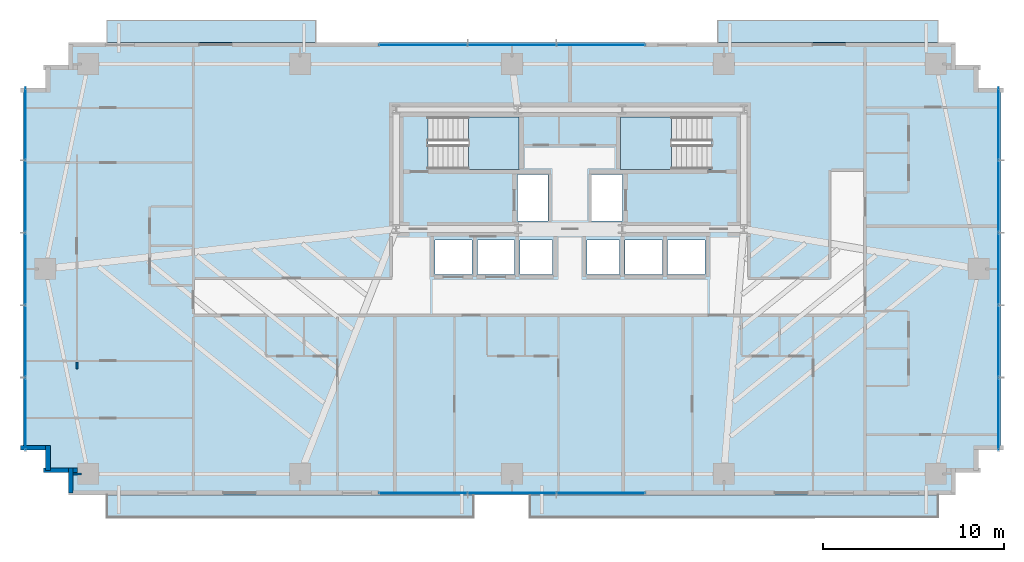
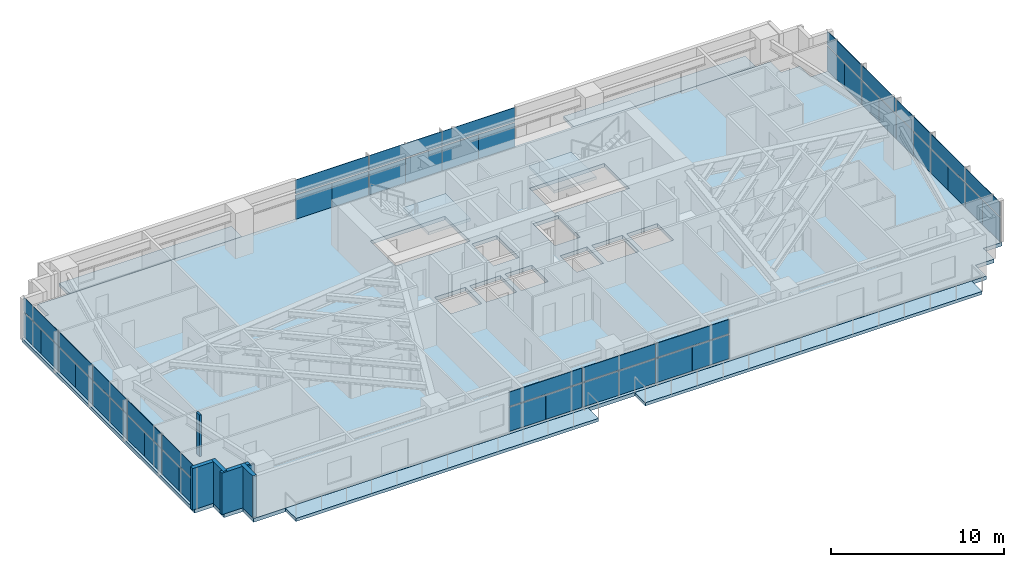
# One storey, part 18 of 25: 48 plates, 7 slabs, 6 walls, 6 elements without a shape of their own.
"""IFC4 building model written with IfcOpenShell, lengths in metres."""

from ifc_helpers import new_model, si_unit, direction, frame, frame_2d, origin, origin_2d, place, context, subcontext, project, spatial, polyline, rectangle, outline, extrude, source, transform, mapped, material, layer, layer_set, type_object, type_shapes, element, aggregate, save


model = new_model("IFC4")

# Units and contexts
model_context = context("Model", 3, precision=1e-05, world=origin(), true_north=direction((0.0, 1.0)))
body_context = subcontext(model_context, "Body", "Model", "MODEL_VIEW")
ifc_project = project(units=[si_unit("LENGTHUNIT", "METRE"), si_unit("AREAUNIT", "SQUARE_METRE"), si_unit("VOLUMEUNIT", "CUBIC_METRE"), si_unit("PLANEANGLEUNIT", "RADIAN"), si_unit("MASSUNIT", "GRAM", prefix="KILO")], contexts=[model_context])

# Site, building, storey
site_placement = place(None, origin())
site = spatial("IfcSite", under=ifc_project, at=site_placement, CompositionType="ELEMENT")
building_placement = place(site_placement, origin())
building = spatial("IfcBuilding", under=site, at=building_placement, Name="Astriad Promenade Condominiums", CompositionType="ELEMENT")
storey_placement = place(building_placement, frame((0.0, 0.0, 45.39990234375)))
storey = spatial("IfcBuildingStorey", under=building, at=storey_placement, Name="L12", CompositionType="ELEMENT", Elevation=45.39990234375)

# Slab
ifc_material_1 = material(Name="Concrete C50/60", Category="concrete")
ifc_layer_1 = layer(ifc_material_1, 0.260009765625)
ifc_layer_set_1 = layer_set([ifc_layer_1], Name="Concrete C50/60")
slab_type_1 = type_object("IfcSlabType", Name="CONCRETE TOWER FLOOR SLAB 260", PredefinedType="FLOOR", material=ifc_layer_set_1)
slab_1_placement = place(storey_placement, frame((0.0, 0.0, -0.260009765625)))
element("IfcSlab", 1, at=slab_1_placement, inside=storey, type_object=slab_type_1, Name="Structural Floor Slab (L12)", PredefinedType="FLOOR", context=body_context, shape_type="SweptSolid", body=[
    extrude(outline(polyline([(8.300048828125, 2.699951171875), (57.300048828125, 2.699951171875), (57.300048828125, 3.949951171875), (58.550048828125, 3.949951171875), (58.550048828125, 5.199951171875), (59.800048828125, 5.199951171875), (59.800048828125, 25.199951171875), (58.550048828125, 25.199951171875), (58.550048828125, 26.449951171875), (57.300048828125, 26.449951171875), (57.300048828125, 27.699951171875), (8.300048828125, 27.699951171875), (8.300048828125, 26.449951171875), (7.050048828125, 26.449951171875), (7.050048828125, 25.199951171875), (5.800048828125, 25.199951171875), (5.800048828125, 5.199951171875), (7.050048828125, 5.199951171875), (7.050048828125, 3.949951171875), (8.300048828125, 3.949951171875), (8.300048828125, 2.699951171875)]), holes=[polyline([(28.175048828125, 20.699951171875), (33.175048828125, 20.699951171875), (33.175048828125, 23.60009765625), (28.175048828125, 23.60009765625), (28.175048828125, 20.699951171875)]), polyline([(38.824951171875, 20.699951171875), (43.824951171875, 20.699951171875), (43.824951171875, 23.60009765625), (38.824951171875, 23.60009765625), (38.824951171875, 20.699951171875)]), polyline([(33.10009765625, 17.85009765625), (34.800048828125, 17.85009765625), (34.800048828125, 20.39990234375), (33.10009765625, 20.39990234375), (33.10009765625, 17.85009765625)]), polyline([(37.199951171875, 17.85009765625), (38.89990234375, 17.85009765625), (38.89990234375, 20.39990234375), (37.199951171875, 20.39990234375), (37.199951171875, 17.85009765625)]), polyline([(28.550048828125, 14.89990234375), (30.60009765625, 14.89990234375), (30.60009765625, 16.800048828125), (28.550048828125, 16.800048828125), (28.550048828125, 14.89990234375)]), polyline([(30.89990234375, 14.89990234375), (32.949951171875, 14.89990234375), (32.949951171875, 16.800048828125), (30.89990234375, 16.800048828125), (30.89990234375, 14.89990234375)]), polyline([(33.25, 14.89990234375), (35.050048828125, 14.89990234375), (35.050048828125, 16.800048828125), (33.25, 16.800048828125), (33.25, 14.89990234375)]), polyline([(36.949951171875, 14.89990234375), (38.75, 14.89990234375), (38.75, 16.800048828125), (36.949951171875, 16.800048828125), (36.949951171875, 14.89990234375)]), polyline([(39.050048828125, 14.89990234375), (41.10009765625, 14.89990234375), (41.10009765625, 16.800048828125), (39.050048828125, 16.800048828125), (39.050048828125, 14.89990234375)]), polyline([(41.39990234375, 14.89990234375), (43.449951171875, 14.89990234375), (43.449951171875, 16.800048828125), (41.39990234375, 16.800048828125), (41.39990234375, 14.89990234375)])]), origin(), (0.0, 0.0, 1.0), 0.260009765625),
])

# Stair, slab
stair_type = type_object("IfcStairType", Name="STR-CORE-1350", PredefinedType="HALF_TURN_STAIR", material=ifc_material_1)
stair_1_placement = place(storey_placement, origin())
stair_1 = element("IfcStair", 2, at=stair_1_placement, inside=storey, type_object=stair_type, Name="L12 Enclosed Core Exit Stair ST-1", PredefinedType="HALF_TURN_STAIR")
ifc_layer_2 = layer(ifc_material_1, 0.219970703125)
ifc_layer_set_2 = layer_set([ifc_layer_2], Name="Concrete C50/60")
slab_type_2 = type_object("IfcSlabType", Name="SLB-LANDING-220", PredefinedType="LANDING", material=ifc_layer_set_2)
slab_2_placement = place(storey_placement, frame((0.0, 0.0, 1.400146484375)))
slab_2 = element("IfcSlab", 3, at=slab_2_placement, type_object=slab_type_2, Name="ST-1 landing 1", PredefinedType="LANDING", context=body_context, shape_type="SweptSolid", body=[
    extrude(outline(polyline([(30.389892578125, 20.699951171875), (33.199951171875, 20.699951171875), (33.199951171875, 23.60009765625), (30.389892578125, 23.60009765625), (30.389892578125, 20.699951171875)])), origin(), (0.0, 0.0, 1.0), 0.199951171875),
])
aggregate(stair_1, [slab_2])

stair_2_placement = place(storey_placement, origin())
stair_2 = element("IfcStair", 4, at=stair_2_placement, inside=storey, type_object=stair_type, Name="L12 Enclosed Core Exit Stair ST-2", PredefinedType="HALF_TURN_STAIR")
slab_3_placement = place(storey_placement, frame((0.0, 0.0, 1.400146484375)))
slab_3 = element("IfcSlab", 5, at=slab_3_placement, type_object=slab_type_2, Name="ST-2 landing 1", PredefinedType="LANDING", context=body_context, shape_type="SweptSolid", body=[
    extrude(outline(polyline([(41.610107421875, 23.60009765625), (38.800048828125, 23.60009765625), (38.800048828125, 20.699951171875), (41.610107421875, 20.699951171875), (41.610107421875, 23.60009765625)])), origin(), (0.0, 0.0, 1.0), 0.199951171875),
])
aggregate(stair_2, [slab_3])

# Slabs
ifc_material_2 = material(Name="Precast concrete C50/60", Category="concrete")
ifc_layer_3 = layer(ifc_material_2, 0.219970703125)
ifc_layer_set_3 = layer_set([ifc_layer_3], Name="Precast concrete C50/60")
slab_type_3 = type_object("IfcSlabType", Name="WHITE PRECAST CONCRETE WAVE BALCONY SLAB 220", PredefinedType="FLOOR", material=ifc_layer_set_3)
slab_4_placement = place(storey_placement, frame((0.0, 0.0, -0.219970703125)))
element("IfcSlab", 6, at=slab_4_placement, inside=storey, type_object=slab_type_3, Name="White Precast Wave Balcony Slab BAL-L12-SW", PredefinedType="FLOOR", context=body_context, shape_type="SweptSolid", body=[
    extrude(outline(polyline([(30.672119140625, 1.47998046875), (10.43603515625, 1.47998046875), (10.43603515625, 2.697998046875), (30.672119140625, 2.697998046875), (30.672119140625, 1.47998046875)])), origin(), (0.0, 0.0, 1.0), 0.219970703125),
])
slab_5_placement = place(storey_placement, frame((0.0, 0.0, -0.219970703125)))
element("IfcSlab", 7, at=slab_5_placement, inside=storey, type_object=slab_type_3, Name="White Precast Wave Balcony Slab BAL-L12-SE", PredefinedType="FLOOR", context=body_context, shape_type="SweptSolid", body=[
    extrude(outline(polyline([(56.322998046875, 1.47998046875), (33.7939453125, 1.47998046875), (33.7939453125, 2.697998046875), (56.322998046875, 2.697998046875), (56.322998046875, 1.47998046875)])), origin(), (0.0, 0.0, 1.0), 0.219970703125),
])
slab_6_placement = place(storey_placement, frame((0.0, 0.0, -0.219970703125)))
element("IfcSlab", 8, at=slab_6_placement, inside=storey, type_object=slab_type_3, Name="White Precast Wave Balcony Slab BAL-L12-NW", PredefinedType="FLOOR", context=body_context, shape_type="SweptSolid", body=[
    extrude(outline(polyline([(10.43603515625, 28.919921875), (21.9599609375, 28.919921875), (21.9599609375, 27.701904296875), (10.43603515625, 27.701904296875), (10.43603515625, 28.919921875)])), origin(), (0.0, 0.0, 1.0), 0.219970703125),
])
slab_7_placement = place(storey_placement, frame((0.0, 0.0, -0.219970703125)))
element("IfcSlab", 9, at=slab_7_placement, inside=storey, type_object=slab_type_3, Name="White Precast Wave Balcony Slab BAL-L12-NE", PredefinedType="FLOOR", context=body_context, shape_type="SweptSolid", body=[
    extrude(outline(polyline([(44.169921875, 28.919921875), (56.322998046875, 28.919921875), (56.322998046875, 27.701904296875), (44.169921875, 27.701904296875), (44.169921875, 28.919921875)])), origin(), (0.0, 0.0, 1.0), 0.219970703125),
])

# Curtain wall, plates
ifc_material_3 = material(Name="Anodised aluminium Black Dark Glass Unitised", Category="aluminium")
curtain_wall_type = type_object("IfcCurtainWallType", Name="CW-B1-DARK", PredefinedType="USERDEFINED", material=ifc_material_3)
curtain_wall_1_placement = place(storey_placement, origin())
curtain_wall_1 = element("IfcCurtainWall", 10, at=curtain_wall_1_placement, inside=storey, type_object=curtain_wall_type, Name="CW-L12-W", ObjectType="UNITISED_CURTAIN_WALL", PredefinedType="USERDEFINED")
ifc_material_4 = material(Name="Dark Tinted Low-E Laminated Glass", Category="glass")
ifc_layer_4 = layer(ifc_material_4, 0.035888671875)
ifc_layer_set_4 = layer_set([ifc_layer_4], Name="Dark Tinted Low-E Laminated Glass")
plate_type = type_object("IfcPlateType", Name="PNL-DARK-GLASS-36", PredefinedType="CURTAIN_PANEL", material=ifc_layer_set_4)
shared_shape_1 = source(origin(), body_context, "Body", "SweptSolid", [
    extrude(rectangle(XDim=1.988037109375, YDim=0.035888671875, at=origin_2d()), origin(), (0.0, 0.0, 1.0), 1.702880859375),
])
plate_1_placement = place(storey_placement, frame((5.929931640625, 6.199951171875, 0.080078125), z_axis=(0.0, 0.0, 1.0), x_axis=(0.0, 1.0, 0.0)))
plate_1 = element("IfcPlate", 11, at=plate_1_placement, type_object=plate_type, Name="CW-L12-W-PNL-00-VL", PredefinedType="CURTAIN_PANEL", context=body_context, shape_type="MappedRepresentation", body=[
    mapped(shared_shape_1, transform((0.0, 0.0, 0.0), scale=1.0)),
])
plate_2_placement = place(storey_placement, frame((5.929931640625, 8.199951171875, 0.080078125), z_axis=(0.0, 0.0, 1.0), x_axis=(0.0, 1.0, 0.0)))
plate_2 = element("IfcPlate", 12, at=plate_2_placement, type_object=plate_type, Name="CW-L12-W-PNL-00-VR", PredefinedType="CURTAIN_PANEL", context=body_context, shape_type="MappedRepresentation", body=[
    mapped(shared_shape_1, transform((0.0, 0.0, 0.0), scale=1.0)),
])
plate_3_placement = place(storey_placement, frame((5.929931640625, 10.199951171875, 0.080078125), z_axis=(0.0, 0.0, 1.0), x_axis=(0.0, 1.0, 0.0)))
plate_3 = element("IfcPlate", 13, at=plate_3_placement, type_object=plate_type, Name="CW-L12-W-PNL-01-VL", PredefinedType="CURTAIN_PANEL", context=body_context, shape_type="MappedRepresentation", body=[
    mapped(shared_shape_1, transform((0.0, 0.0, 0.0), scale=1.0)),
])
plate_4_placement = place(storey_placement, frame((5.929931640625, 12.199951171875, 0.080078125), z_axis=(0.0, 0.0, 1.0), x_axis=(0.0, 1.0, 0.0)))
plate_4 = element("IfcPlate", 14, at=plate_4_placement, type_object=plate_type, Name="CW-L12-W-PNL-01-VR", PredefinedType="CURTAIN_PANEL", context=body_context, shape_type="MappedRepresentation", body=[
    mapped(shared_shape_1, transform((0.0, 0.0, 0.0), scale=1.0)),
])
plate_5_placement = place(storey_placement, frame((5.929931640625, 14.199951171875, 0.080078125), z_axis=(0.0, 0.0, 1.0), x_axis=(0.0, 1.0, 0.0)))
plate_5 = element("IfcPlate", 15, at=plate_5_placement, type_object=plate_type, Name="CW-L12-W-PNL-02-VL", PredefinedType="CURTAIN_PANEL", context=body_context, shape_type="MappedRepresentation", body=[
    mapped(shared_shape_1, transform((0.0, 0.0, 0.0), scale=1.0)),
])
plate_6_placement = place(storey_placement, frame((5.929931640625, 16.199951171875, 0.080078125), z_axis=(0.0, 0.0, 1.0), x_axis=(0.0, 1.0, 0.0)))
plate_6 = element("IfcPlate", 16, at=plate_6_placement, type_object=plate_type, Name="CW-L12-W-PNL-02-VR", PredefinedType="CURTAIN_PANEL", context=body_context, shape_type="MappedRepresentation", body=[
    mapped(shared_shape_1, transform((0.0, 0.0, 0.0), scale=1.0)),
])
plate_7_placement = place(storey_placement, frame((5.929931640625, 18.199951171875, 0.080078125), z_axis=(0.0, 0.0, 1.0), x_axis=(0.0, 1.0, 0.0)))
plate_7 = element("IfcPlate", 17, at=plate_7_placement, type_object=plate_type, Name="CW-L12-W-PNL-03-VL", PredefinedType="CURTAIN_PANEL", context=body_context, shape_type="MappedRepresentation", body=[
    mapped(shared_shape_1, transform((0.0, 0.0, 0.0), scale=1.0)),
])
plate_8_placement = place(storey_placement, frame((5.929931640625, 20.199951171875, 0.080078125), z_axis=(0.0, 0.0, 1.0), x_axis=(0.0, 1.0, 0.0)))
plate_8 = element("IfcPlate", 18, at=plate_8_placement, type_object=plate_type, Name="CW-L12-W-PNL-03-VR", PredefinedType="CURTAIN_PANEL", context=body_context, shape_type="MappedRepresentation", body=[
    mapped(shared_shape_1, transform((0.0, 0.0, 0.0), scale=1.0)),
])
plate_9_placement = place(storey_placement, frame((5.929931640625, 22.199951171875, 0.080078125), z_axis=(0.0, 0.0, 1.0), x_axis=(0.0, 1.0, 0.0)))
plate_9 = element("IfcPlate", 19, at=plate_9_placement, type_object=plate_type, Name="CW-L12-W-PNL-04-VL", PredefinedType="CURTAIN_PANEL", context=body_context, shape_type="MappedRepresentation", body=[
    mapped(shared_shape_1, transform((0.0, 0.0, 0.0), scale=1.0)),
])
plate_10_placement = place(storey_placement, frame((5.929931640625, 24.199951171875, 0.080078125), z_axis=(0.0, 0.0, 1.0), x_axis=(0.0, 1.0, 0.0)))
plate_10 = element("IfcPlate", 20, at=plate_10_placement, type_object=plate_type, Name="CW-L12-W-PNL-04-VR", PredefinedType="CURTAIN_PANEL", context=body_context, shape_type="MappedRepresentation", body=[
    mapped(shared_shape_1, transform((0.0, 0.0, 0.0), scale=1.0)),
])

curtain_wall_2_placement = place(storey_placement, origin())
curtain_wall_2 = element("IfcCurtainWall", 21, at=curtain_wall_2_placement, inside=storey, type_object=curtain_wall_type, Name="CW-L12-E", ObjectType="UNITISED_CURTAIN_WALL", PredefinedType="USERDEFINED")
plate_11_placement = place(storey_placement, frame((59.669921875, 24.199951171875, 0.080078125), z_axis=(0.0, 0.0, 1.0), x_axis=(0.0, -1.0, 0.0)))
plate_11 = element("IfcPlate", 22, at=plate_11_placement, type_object=plate_type, Name="CW-L12-E-PNL-00-VL", PredefinedType="CURTAIN_PANEL", context=body_context, shape_type="MappedRepresentation", body=[
    mapped(shared_shape_1, transform((0.0, 0.0, 0.0), scale=1.0)),
])
plate_12_placement = place(storey_placement, frame((59.669921875, 22.199951171875, 0.080078125), z_axis=(0.0, 0.0, 1.0), x_axis=(0.0, -1.0, 0.0)))
plate_12 = element("IfcPlate", 23, at=plate_12_placement, type_object=plate_type, Name="CW-L12-E-PNL-00-VR", PredefinedType="CURTAIN_PANEL", context=body_context, shape_type="MappedRepresentation", body=[
    mapped(shared_shape_1, transform((0.0, 0.0, 0.0), scale=1.0)),
])
plate_13_placement = place(storey_placement, frame((59.669921875, 20.199951171875, 0.080078125), z_axis=(0.0, 0.0, 1.0), x_axis=(0.0, -1.0, 0.0)))
plate_13 = element("IfcPlate", 24, at=plate_13_placement, type_object=plate_type, Name="CW-L12-E-PNL-01-VL", PredefinedType="CURTAIN_PANEL", context=body_context, shape_type="MappedRepresentation", body=[
    mapped(shared_shape_1, transform((0.0, 0.0, 0.0), scale=1.0)),
])
plate_14_placement = place(storey_placement, frame((59.669921875, 18.199951171875, 0.080078125), z_axis=(0.0, 0.0, 1.0), x_axis=(0.0, -1.0, 0.0)))
plate_14 = element("IfcPlate", 25, at=plate_14_placement, type_object=plate_type, Name="CW-L12-E-PNL-01-VR", PredefinedType="CURTAIN_PANEL", context=body_context, shape_type="MappedRepresentation", body=[
    mapped(shared_shape_1, transform((0.0, 0.0, 0.0), scale=1.0)),
])
plate_15_placement = place(storey_placement, frame((59.669921875, 16.199951171875, 0.080078125), z_axis=(0.0, 0.0, 1.0), x_axis=(0.0, -1.0, 0.0)))
plate_15 = element("IfcPlate", 26, at=plate_15_placement, type_object=plate_type, Name="CW-L12-E-PNL-02-VL", PredefinedType="CURTAIN_PANEL", context=body_context, shape_type="MappedRepresentation", body=[
    mapped(shared_shape_1, transform((0.0, 0.0, 0.0), scale=1.0)),
])
plate_16_placement = place(storey_placement, frame((59.669921875, 14.199951171875, 0.080078125), z_axis=(0.0, 0.0, 1.0), x_axis=(0.0, -1.0, 0.0)))
plate_16 = element("IfcPlate", 27, at=plate_16_placement, type_object=plate_type, Name="CW-L12-E-PNL-02-VR", PredefinedType="CURTAIN_PANEL", context=body_context, shape_type="MappedRepresentation", body=[
    mapped(shared_shape_1, transform((0.0, 0.0, 0.0), scale=1.0)),
])
plate_17_placement = place(storey_placement, frame((59.669921875, 12.199951171875, 0.080078125), z_axis=(0.0, 0.0, 1.0), x_axis=(0.0, -1.0, 0.0)))
plate_17 = element("IfcPlate", 28, at=plate_17_placement, type_object=plate_type, Name="CW-L12-E-PNL-03-VL", PredefinedType="CURTAIN_PANEL", context=body_context, shape_type="MappedRepresentation", body=[
    mapped(shared_shape_1, transform((0.0, 0.0, 0.0), scale=1.0)),
])
plate_18_placement = place(storey_placement, frame((59.669921875, 10.199951171875, 0.080078125), z_axis=(0.0, 0.0, 1.0), x_axis=(0.0, -1.0, 0.0)))
plate_18 = element("IfcPlate", 29, at=plate_18_placement, type_object=plate_type, Name="CW-L12-E-PNL-03-VR", PredefinedType="CURTAIN_PANEL", context=body_context, shape_type="MappedRepresentation", body=[
    mapped(shared_shape_1, transform((0.0, 0.0, 0.0), scale=1.0)),
])
plate_19_placement = place(storey_placement, frame((59.669921875, 8.199951171875, 0.080078125), z_axis=(0.0, 0.0, 1.0), x_axis=(0.0, -1.0, 0.0)))
plate_19 = element("IfcPlate", 30, at=plate_19_placement, type_object=plate_type, Name="CW-L12-E-PNL-04-VL", PredefinedType="CURTAIN_PANEL", context=body_context, shape_type="MappedRepresentation", body=[
    mapped(shared_shape_1, transform((0.0, 0.0, 0.0), scale=1.0)),
])
plate_20_placement = place(storey_placement, frame((59.669921875, 6.199951171875, 0.080078125), z_axis=(0.0, 0.0, 1.0), x_axis=(0.0, -1.0, 0.0)))
plate_20 = element("IfcPlate", 31, at=plate_20_placement, type_object=plate_type, Name="CW-L12-E-PNL-04-VR", PredefinedType="CURTAIN_PANEL", context=body_context, shape_type="MappedRepresentation", body=[
    mapped(shared_shape_1, transform((0.0, 0.0, 0.0), scale=1.0)),
])

# Plate
shared_shape_2 = source(origin(), body_context, "Body", "SweptSolid", [
    extrude(rectangle(XDim=3.988037109375, YDim=0.035888671875, at=origin_2d()), origin(), (0.0, 0.0, 1.0), 0.997314453125),
])
plate_21_placement = place(storey_placement, frame((5.929931640625, 7.199951171875, 1.86279296875), z_axis=(0.0, 0.0, 1.0), x_axis=(0.0, 1.0, 0.0)))
plate_21 = element("IfcPlate", 32, at=plate_21_placement, type_object=plate_type, Name="CW-L12-W-PNL-00-S", PredefinedType="CURTAIN_PANEL", context=body_context, shape_type="MappedRepresentation", body=[
    mapped(shared_shape_2, transform((0.0, 0.0, 0.0), scale=1.0)),
])

plate_22_placement = place(storey_placement, frame((5.929931640625, 11.199951171875, 1.86279296875), z_axis=(0.0, 0.0, 1.0), x_axis=(0.0, 1.0, 0.0)))
plate_22 = element("IfcPlate", 33, at=plate_22_placement, type_object=plate_type, Name="CW-L12-W-PNL-01-S", PredefinedType="CURTAIN_PANEL", context=body_context, shape_type="MappedRepresentation", body=[
    mapped(shared_shape_2, transform((0.0, 0.0, 0.0), scale=1.0)),
])

plate_23_placement = place(storey_placement, frame((5.929931640625, 15.199951171875, 1.86279296875), z_axis=(0.0, 0.0, 1.0), x_axis=(0.0, 1.0, 0.0)))
plate_23 = element("IfcPlate", 34, at=plate_23_placement, type_object=plate_type, Name="CW-L12-W-PNL-02-S", PredefinedType="CURTAIN_PANEL", context=body_context, shape_type="MappedRepresentation", body=[
    mapped(shared_shape_2, transform((0.0, 0.0, 0.0), scale=1.0)),
])

plate_24_placement = place(storey_placement, frame((5.929931640625, 19.199951171875, 1.86279296875), z_axis=(0.0, 0.0, 1.0), x_axis=(0.0, 1.0, 0.0)))
plate_24 = element("IfcPlate", 35, at=plate_24_placement, type_object=plate_type, Name="CW-L12-W-PNL-03-S", PredefinedType="CURTAIN_PANEL", context=body_context, shape_type="MappedRepresentation", body=[
    mapped(shared_shape_2, transform((0.0, 0.0, 0.0), scale=1.0)),
])

plate_25_placement = place(storey_placement, frame((5.929931640625, 23.199951171875, 1.86279296875), z_axis=(0.0, 0.0, 1.0), x_axis=(0.0, 1.0, 0.0)))
plate_25 = element("IfcPlate", 36, at=plate_25_placement, type_object=plate_type, Name="CW-L12-W-PNL-04-S", PredefinedType="CURTAIN_PANEL", context=body_context, shape_type="MappedRepresentation", body=[
    mapped(shared_shape_2, transform((0.0, 0.0, 0.0), scale=1.0)),
])

aggregate(curtain_wall_1, [plate_1, plate_2, plate_21, plate_3, plate_4, plate_22, plate_5, plate_6, plate_23, plate_7, plate_8, plate_24, plate_9, plate_10, plate_25])

plate_26_placement = place(storey_placement, frame((59.669921875, 23.199951171875, 1.86279296875), z_axis=(0.0, 0.0, 1.0), x_axis=(0.0, -1.0, 0.0)))
plate_26 = element("IfcPlate", 37, at=plate_26_placement, type_object=plate_type, Name="CW-L12-E-PNL-00-S", PredefinedType="CURTAIN_PANEL", context=body_context, shape_type="MappedRepresentation", body=[
    mapped(shared_shape_2, transform((0.0, 0.0, 0.0), scale=1.0)),
])

plate_27_placement = place(storey_placement, frame((59.669921875, 19.199951171875, 1.86279296875), z_axis=(0.0, 0.0, 1.0), x_axis=(0.0, -1.0, 0.0)))
plate_27 = element("IfcPlate", 38, at=plate_27_placement, type_object=plate_type, Name="CW-L12-E-PNL-01-S", PredefinedType="CURTAIN_PANEL", context=body_context, shape_type="MappedRepresentation", body=[
    mapped(shared_shape_2, transform((0.0, 0.0, 0.0), scale=1.0)),
])

plate_28_placement = place(storey_placement, frame((59.669921875, 15.199951171875, 1.86279296875), z_axis=(0.0, 0.0, 1.0), x_axis=(0.0, -1.0, 0.0)))
plate_28 = element("IfcPlate", 39, at=plate_28_placement, type_object=plate_type, Name="CW-L12-E-PNL-02-S", PredefinedType="CURTAIN_PANEL", context=body_context, shape_type="MappedRepresentation", body=[
    mapped(shared_shape_2, transform((0.0, 0.0, 0.0), scale=1.0)),
])

plate_29_placement = place(storey_placement, frame((59.669921875, 11.199951171875, 1.86279296875), z_axis=(0.0, 0.0, 1.0), x_axis=(0.0, -1.0, 0.0)))
plate_29 = element("IfcPlate", 40, at=plate_29_placement, type_object=plate_type, Name="CW-L12-E-PNL-03-S", PredefinedType="CURTAIN_PANEL", context=body_context, shape_type="MappedRepresentation", body=[
    mapped(shared_shape_2, transform((0.0, 0.0, 0.0), scale=1.0)),
])

plate_30_placement = place(storey_placement, frame((59.669921875, 7.199951171875, 1.86279296875), z_axis=(0.0, 0.0, 1.0), x_axis=(0.0, -1.0, 0.0)))
plate_30 = element("IfcPlate", 41, at=plate_30_placement, type_object=plate_type, Name="CW-L12-E-PNL-04-S", PredefinedType="CURTAIN_PANEL", context=body_context, shape_type="MappedRepresentation", body=[
    mapped(shared_shape_2, transform((0.0, 0.0, 0.0), scale=1.0)),
])

aggregate(curtain_wall_2, [plate_11, plate_12, plate_26, plate_13, plate_14, plate_27, plate_15, plate_16, plate_28, plate_17, plate_18, plate_29, plate_19, plate_20, plate_30])

# Curtain wall, plates
curtain_wall_3_placement = place(storey_placement, origin())
curtain_wall_3 = element("IfcCurtainWall", 42, at=curtain_wall_3_placement, inside=storey, type_object=curtain_wall_type, Name="CW-L12-N", ObjectType="UNITISED_CURTAIN_WALL", PredefinedType="USERDEFINED")
shared_shape_3 = source(origin(), body_context, "Body", "SweptSolid", [
    extrude(rectangle(XDim=2.43798828125, YDim=0.035888671875, at=origin_2d()), origin(), (0.0, 0.0, 1.0), 1.702880859375),
])
plate_31_placement = place(storey_placement, frame((26.675048828125, 27.570068359375, 0.080078125), z_axis=(0.0, 0.0, 1.0), x_axis=(1.0, 0.0, 0.0)))
plate_31 = element("IfcPlate", 43, at=plate_31_placement, type_object=plate_type, Name="CW-L12-N-PNL-00-VL", PredefinedType="CURTAIN_PANEL", context=body_context, shape_type="MappedRepresentation", body=[
    mapped(shared_shape_3, transform((0.0, 0.0, 0.0), scale=1.0)),
])
plate_32_placement = place(storey_placement, frame((29.125, 27.570068359375, 0.080078125), z_axis=(0.0, 0.0, 1.0), x_axis=(1.0, 0.0, 0.0)))
plate_32 = element("IfcPlate", 44, at=plate_32_placement, type_object=plate_type, Name="CW-L12-N-PNL-00-VR", PredefinedType="CURTAIN_PANEL", context=body_context, shape_type="MappedRepresentation", body=[
    mapped(shared_shape_3, transform((0.0, 0.0, 0.0), scale=1.0)),
])
plate_33_placement = place(storey_placement, frame((31.574951171875, 27.570068359375, 0.080078125), z_axis=(0.0, 0.0, 1.0), x_axis=(1.0, 0.0, 0.0)))
plate_33 = element("IfcPlate", 45, at=plate_33_placement, type_object=plate_type, Name="CW-L12-N-PNL-01-VL", PredefinedType="CURTAIN_PANEL", context=body_context, shape_type="MappedRepresentation", body=[
    mapped(shared_shape_3, transform((0.0, 0.0, 0.0), scale=1.0)),
])
plate_34_placement = place(storey_placement, frame((34.02490234375, 27.570068359375, 0.080078125), z_axis=(0.0, 0.0, 1.0), x_axis=(1.0, 0.0, 0.0)))
plate_34 = element("IfcPlate", 46, at=plate_34_placement, type_object=plate_type, Name="CW-L12-N-PNL-01-VR", PredefinedType="CURTAIN_PANEL", context=body_context, shape_type="MappedRepresentation", body=[
    mapped(shared_shape_3, transform((0.0, 0.0, 0.0), scale=1.0)),
])
plate_35_placement = place(storey_placement, frame((36.47509765625, 27.570068359375, 0.080078125), z_axis=(0.0, 0.0, 1.0), x_axis=(1.0, 0.0, 0.0)))
plate_35 = element("IfcPlate", 47, at=plate_35_placement, type_object=plate_type, Name="CW-L12-N-PNL-02-VL", PredefinedType="CURTAIN_PANEL", context=body_context, shape_type="MappedRepresentation", body=[
    mapped(shared_shape_3, transform((0.0, 0.0, 0.0), scale=1.0)),
])
plate_36_placement = place(storey_placement, frame((38.925048828125, 27.570068359375, 0.080078125), z_axis=(0.0, 0.0, 1.0), x_axis=(1.0, 0.0, 0.0)))
plate_36 = element("IfcPlate", 48, at=plate_36_placement, type_object=plate_type, Name="CW-L12-N-PNL-02-VR", PredefinedType="CURTAIN_PANEL", context=body_context, shape_type="MappedRepresentation", body=[
    mapped(shared_shape_3, transform((0.0, 0.0, 0.0), scale=1.0)),
])

curtain_wall_4_placement = place(storey_placement, origin())
curtain_wall_4 = element("IfcCurtainWall", 49, at=curtain_wall_4_placement, inside=storey, type_object=curtain_wall_type, Name="CW-L12-S", ObjectType="UNITISED_CURTAIN_WALL", PredefinedType="USERDEFINED")
plate_37_placement = place(storey_placement, frame((38.925048828125, 2.830078125, 0.080078125), z_axis=(0.0, 0.0, 1.0), x_axis=(-1.0, 0.0, 0.0)))
plate_37 = element("IfcPlate", 50, at=plate_37_placement, type_object=plate_type, Name="CW-L12-S-PNL-00-VL", PredefinedType="CURTAIN_PANEL", context=body_context, shape_type="MappedRepresentation", body=[
    mapped(shared_shape_3, transform((0.0, 0.0, 0.0), scale=1.0)),
])
plate_38_placement = place(storey_placement, frame((36.47509765625, 2.830078125, 0.080078125), z_axis=(0.0, 0.0, 1.0), x_axis=(-1.0, 0.0, 0.0)))
plate_38 = element("IfcPlate", 51, at=plate_38_placement, type_object=plate_type, Name="CW-L12-S-PNL-00-VR", PredefinedType="CURTAIN_PANEL", context=body_context, shape_type="MappedRepresentation", body=[
    mapped(shared_shape_3, transform((0.0, 0.0, 0.0), scale=1.0)),
])
plate_39_placement = place(storey_placement, frame((34.02490234375, 2.830078125, 0.080078125), z_axis=(0.0, 0.0, 1.0), x_axis=(-1.0, 0.0, 0.0)))
plate_39 = element("IfcPlate", 52, at=plate_39_placement, type_object=plate_type, Name="CW-L12-S-PNL-01-VL", PredefinedType="CURTAIN_PANEL", context=body_context, shape_type="MappedRepresentation", body=[
    mapped(shared_shape_3, transform((0.0, 0.0, 0.0), scale=1.0)),
])
plate_40_placement = place(storey_placement, frame((31.574951171875, 2.830078125, 0.080078125), z_axis=(0.0, 0.0, 1.0), x_axis=(-1.0, 0.0, 0.0)))
plate_40 = element("IfcPlate", 53, at=plate_40_placement, type_object=plate_type, Name="CW-L12-S-PNL-01-VR", PredefinedType="CURTAIN_PANEL", context=body_context, shape_type="MappedRepresentation", body=[
    mapped(shared_shape_3, transform((0.0, 0.0, 0.0), scale=1.0)),
])
plate_41_placement = place(storey_placement, frame((29.125, 2.830078125, 0.080078125), z_axis=(0.0, 0.0, 1.0), x_axis=(-1.0, 0.0, 0.0)))
plate_41 = element("IfcPlate", 54, at=plate_41_placement, type_object=plate_type, Name="CW-L12-S-PNL-02-VL", PredefinedType="CURTAIN_PANEL", context=body_context, shape_type="MappedRepresentation", body=[
    mapped(shared_shape_3, transform((0.0, 0.0, 0.0), scale=1.0)),
])
plate_42_placement = place(storey_placement, frame((26.675048828125, 2.830078125, 0.080078125), z_axis=(0.0, 0.0, 1.0), x_axis=(-1.0, 0.0, 0.0)))
plate_42 = element("IfcPlate", 55, at=plate_42_placement, type_object=plate_type, Name="CW-L12-S-PNL-02-VR", PredefinedType="CURTAIN_PANEL", context=body_context, shape_type="MappedRepresentation", body=[
    mapped(shared_shape_3, transform((0.0, 0.0, 0.0), scale=1.0)),
])

# Plate
shared_shape_4 = source(origin(), body_context, "Body", "SweptSolid", [
    extrude(rectangle(XDim=4.887939453125, YDim=0.035888671875, at=origin_2d()), origin(), (0.0, 0.0, 1.0), 0.997314453125),
])
type_shapes(plate_type, [shared_shape_1, shared_shape_2, shared_shape_3, shared_shape_4])
plate_43_placement = place(storey_placement, frame((27.89990234375, 27.570068359375, 1.86279296875), z_axis=(0.0, 0.0, 1.0), x_axis=(1.0, 0.0, 0.0)))
plate_43 = element("IfcPlate", 56, at=plate_43_placement, type_object=plate_type, Name="CW-L12-N-PNL-00-S", PredefinedType="CURTAIN_PANEL", context=body_context, shape_type="MappedRepresentation", body=[
    mapped(shared_shape_4, transform((0.0, 0.0, 0.0), scale=1.0)),
])

plate_44_placement = place(storey_placement, frame((32.800048828125, 27.570068359375, 1.86279296875), z_axis=(0.0, 0.0, 1.0), x_axis=(1.0, 0.0, 0.0)))
plate_44 = element("IfcPlate", 57, at=plate_44_placement, type_object=plate_type, Name="CW-L12-N-PNL-01-S", PredefinedType="CURTAIN_PANEL", context=body_context, shape_type="MappedRepresentation", body=[
    mapped(shared_shape_4, transform((0.0, 0.0, 0.0), scale=1.0)),
])

plate_45_placement = place(storey_placement, frame((37.699951171875, 27.570068359375, 1.86279296875), z_axis=(0.0, 0.0, 1.0), x_axis=(1.0, 0.0, 0.0)))
plate_45 = element("IfcPlate", 58, at=plate_45_placement, type_object=plate_type, Name="CW-L12-N-PNL-02-S", PredefinedType="CURTAIN_PANEL", context=body_context, shape_type="MappedRepresentation", body=[
    mapped(shared_shape_4, transform((0.0, 0.0, 0.0), scale=1.0)),
])

aggregate(curtain_wall_3, [plate_31, plate_32, plate_43, plate_33, plate_34, plate_44, plate_35, plate_36, plate_45])

plate_46_placement = place(storey_placement, frame((37.699951171875, 2.830078125, 1.86279296875), z_axis=(0.0, 0.0, 1.0), x_axis=(-1.0, 0.0, 0.0)))
plate_46 = element("IfcPlate", 59, at=plate_46_placement, type_object=plate_type, Name="CW-L12-S-PNL-00-S", PredefinedType="CURTAIN_PANEL", context=body_context, shape_type="MappedRepresentation", body=[
    mapped(shared_shape_4, transform((0.0, 0.0, 0.0), scale=1.0)),
])

plate_47_placement = place(storey_placement, frame((32.800048828125, 2.830078125, 1.86279296875), z_axis=(0.0, 0.0, 1.0), x_axis=(-1.0, 0.0, 0.0)))
plate_47 = element("IfcPlate", 60, at=plate_47_placement, type_object=plate_type, Name="CW-L12-S-PNL-01-S", PredefinedType="CURTAIN_PANEL", context=body_context, shape_type="MappedRepresentation", body=[
    mapped(shared_shape_4, transform((0.0, 0.0, 0.0), scale=1.0)),
])

plate_48_placement = place(storey_placement, frame((27.89990234375, 2.830078125, 1.86279296875), z_axis=(0.0, 0.0, 1.0), x_axis=(-1.0, 0.0, 0.0)))
plate_48 = element("IfcPlate", 61, at=plate_48_placement, type_object=plate_type, Name="CW-L12-S-PNL-02-S", PredefinedType="CURTAIN_PANEL", context=body_context, shape_type="MappedRepresentation", body=[
    mapped(shared_shape_4, transform((0.0, 0.0, 0.0), scale=1.0)),
])

aggregate(curtain_wall_4, [plate_37, plate_38, plate_46, plate_39, plate_40, plate_47, plate_41, plate_42, plate_48])

# Walls
ifc_layer_5 = layer(ifc_material_2, 0.260009765625)
ifc_layer_set_5 = layer_set([ifc_layer_5], Name="Precast concrete C50/60")
wall_type_1 = type_object("IfcWallType", Name="WALL-EXT-TWR-260", PredefinedType="STANDARD", material=ifc_layer_set_5)
wall_1_placement = place(storey_placement, frame((8.798095703125, 4.080078125, 0.0), z_axis=(0.0, 0.0, 1.0), x_axis=(-1.0, 0.0, 0.0)))
element("IfcWall", 62, at=wall_1_placement, inside=storey, type_object=wall_type_1, Name="W-SER-L12-00", PredefinedType="STANDARD", context=body_context, shape_type="SweptSolid", body=[
    extrude(rectangle(XDim=1.878173828125, YDim=0.260009765625, at=frame_2d((0.93896484375, 0.0))), origin(), (0.0, 0.0, 1.0), 2.940185546875),
])
for number, where, z_axis, x_axis, name in (
    (63, (7.179931640625, 4.06494140625, 0.0), (0.0, 0.0, 1.0), (0.0, 1.0, 0.0), "W-SER-L12-01"),
    (64, (7.06494140625, 5.330078125, 0.0), (0.0, 0.0, 1.0), (-1.0, 0.0, 0.0), "W-SER-L12-02"),
    (65, (8.429931640625, 2.81494140625, 0.0), (0.0, 0.0, 1.0), (0.0, 1.0, 0.0), "W-SER-L12-19"),
):
    element("IfcWall", number, at=place(storey_placement, frame(where, z_axis=z_axis, x_axis=x_axis)), inside=storey, type_object=wall_type_1, Name=name, PredefinedType="STANDARD", context=body_context, shape_type="SweptSolid", body=[
        extrude(rectangle(XDim=1.39501953125, YDim=0.260009765625, at=frame_2d((0.697509765625, 0.0))), origin(), (0.0, 0.0, 1.0), 2.940185546875),
    ])
ifc_material_5 = material(Name="Acoustic Metal-Stud Gypsum Partition")
ifc_layer_6 = layer(ifc_material_5, 0.1201171875)
ifc_layer_set_6 = layer_set([ifc_layer_6], Name="Acoustic Metal-Stud Gypsum Partition")
wall_type_2 = type_object("IfcWallType", Name="WALL-PART-120", PredefinedType="PARTITIONING", material=ifc_layer_set_6)
wall_2_placement = place(storey_placement, frame((8.77490234375, 9.676025390625, 0.0), z_axis=(0.0, 0.0, 1.0), x_axis=(0.0, 1.0, 0.0)))
element("IfcWall", 66, at=wall_2_placement, inside=storey, type_object=wall_type_2, Name="PT-L12-W1-WDV4", PredefinedType="PARTITIONING", context=body_context, shape_type="SweptSolid", body=[
    extrude(rectangle(XDim=0.3779296875, YDim=0.1201171875, at=frame_2d((0.18896484375, 0.0))), origin(), (0.0, 0.0, 1.0), 2.940185546875),
])
wall_3_placement = place(storey_placement, frame((9.02001953125, 3.8798828125, 0.0), z_axis=(0.0, 0.0, 1.0), x_axis=(-1.0, 0.0, 0.0)))
element("IfcWall", 67, at=wall_3_placement, inside=storey, type_object=wall_type_2, Name="PT-PIL-L12-PC01-8", PredefinedType="PARTITIONING", context=body_context, shape_type="SweptSolid", body=[
    extrude(rectangle(XDim=0.4580078125, YDim=0.1201171875, at=frame_2d((0.22900390625, 0.0))), origin(), (0.0, 0.0, 1.0), 2.940185546875),
])

save(model, "model.ifc")
